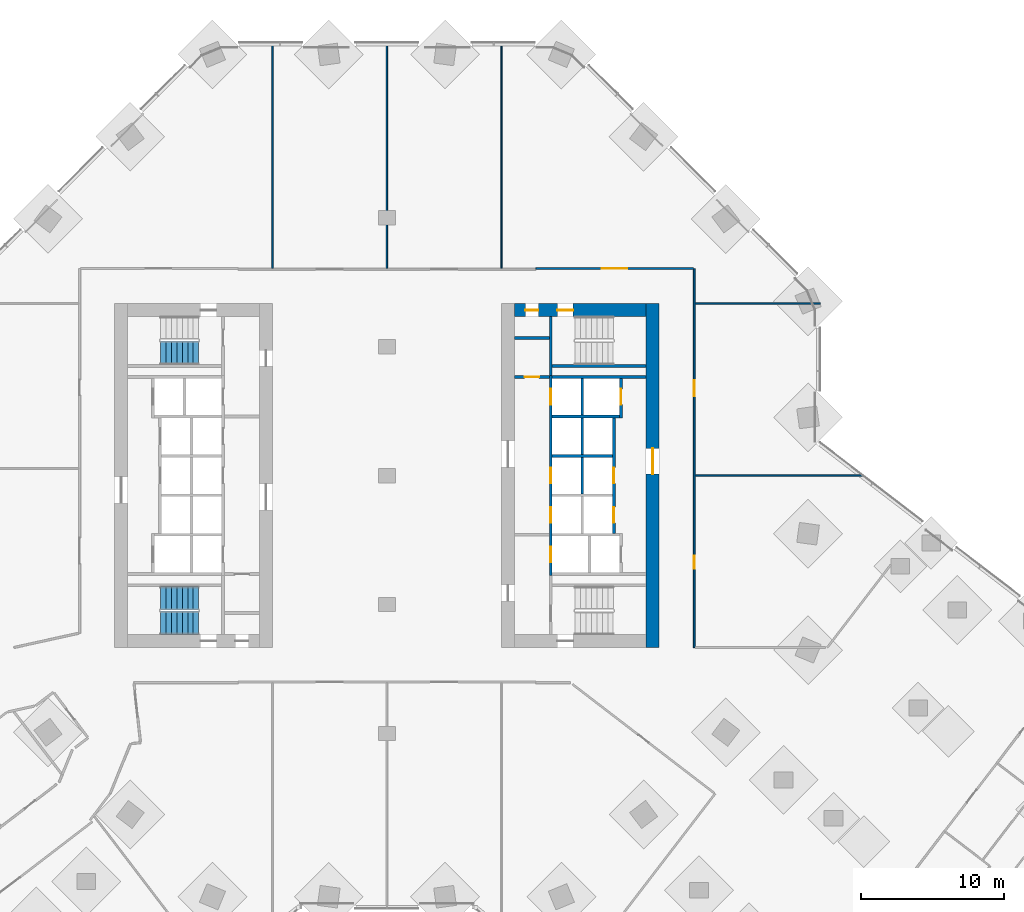
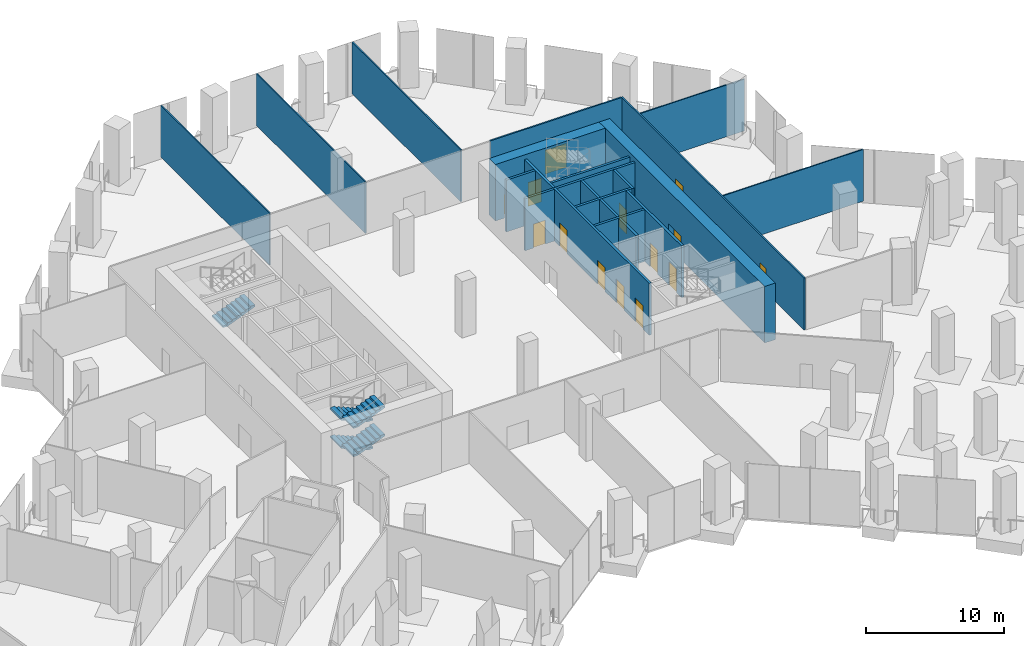
# One storey, part 22 of 27: 22 walls, 14 doors, 5 stair flights, 14 openings, 2 elements without a shape of their own.
"""IFC4 building model written with IfcOpenShell, lengths in metres."""

from ifc_helpers import new_model, si_unit, direction, frame, frame_2d, origin, place, context, subcontext, project, spatial, polyline, rectangle, outline, extrude, material, layer, layer_set, type_object, element, fill, aggregate, save


model = new_model("IFC4")

# Units and contexts
model_context = context("Model", 3, precision=1e-05, world=origin(), true_north=direction((0.0, 1.0)))
body_context = subcontext(model_context, "Body", "Model", "MODEL_VIEW")
ifc_project = project(units=[si_unit("LENGTHUNIT", "METRE"), si_unit("AREAUNIT", "SQUARE_METRE"), si_unit("VOLUMEUNIT", "CUBIC_METRE"), si_unit("PLANEANGLEUNIT", "RADIAN"), si_unit("MASSUNIT", "GRAM", prefix="KILO")], contexts=[model_context])

# Site, building, storey
site_placement = place(None, origin())
site = spatial("IfcSite", under=ifc_project, at=site_placement, CompositionType="ELEMENT")
building_placement = place(site_placement, origin())
building = spatial("IfcBuilding", under=site, at=building_placement, Name="Orlundy Tower", CompositionType="ELEMENT")
storey_placement = place(building_placement, frame((0.0, 0.0, 10.5)))
storey = spatial("IfcBuildingStorey", under=building, at=storey_placement, Name="L01", CompositionType="ELEMENT", Elevation=10.5)

# Wall, openings, doors
ifc_material_1 = material(Name="Concrete C80/95", Category="concrete")
ifc_layer_1 = layer(ifc_material_1, 0.89990234375)
ifc_layer_set_1 = layer_set([ifc_layer_1], Name="CORE WALL 900 C80/95")
wall_type_1 = type_object("IfcWallType", Name="CORE WALL 900 C80/95", PredefinedType="SHEAR", material=ifc_layer_set_1)
wall_1_placement = place(storey_placement, frame((8.89990234375, 11.550048828125, 0.0), z_axis=(0.0, 0.0, 1.0), x_axis=(1.0, 0.0, 0.0)))
wall_1 = element("IfcWall", 1, at=wall_1_placement, inside=storey, type_object=wall_type_1, Name="Core wall E-N L01", PredefinedType="SHEAR", context=body_context, shape_type="SweptSolid", body=[
    extrude(rectangle(XDim=9.2001953125, YDim=0.89990234375, at=frame_2d((4.60009765625, 0.0))), origin(), (0.0, 0.0, 1.0), 5.0),
])
opening_1_placement = place(wall_1_placement, frame((3.0, 0.0, 0.0)))
opening_1 = element("IfcOpeningElement", 2, at=opening_1_placement, cuts=wall_1, Name="Opening 02062", PredefinedType="OPENING", context=body_context, shape_type="SweptSolid", body=[
    extrude(rectangle(XDim=1.10009765625, YDim=2.10009765625, at=frame_2d((0.550048828125, 1.050048828125))), frame((0.0, 0.4599609375, 0.0), z_axis=(0.0, -1.0, 0.0), x_axis=(1.0, 0.0, 0.0)), (0.0, 0.0, 1.0), 0.919921875),
])
opening_2_placement = place(wall_1_placement, frame((0.77001953125, 0.0, 0.0)))
opening_2 = element("IfcOpeningElement", 3, at=opening_2_placement, cuts=wall_1, Name="Opening 02064", PredefinedType="OPENING", context=body_context, shape_type="SweptSolid", body=[
    extrude(rectangle(XDim=0.89990234375, YDim=2.10009765625, at=frame_2d((0.449951171875, 1.050048828125))), frame((0.0, 0.4599609375, 0.0), z_axis=(0.0, -1.0, 0.0), x_axis=(1.0, 0.0, 0.0)), (0.0, 0.0, 1.0), 0.919921875),
])
ifc_material_2 = material(Name="Timber door set", Category="wood")
door_type_1 = type_object("IfcDoorType", Name="Room Door 900x2100", OperationType="SINGLE_SWING_LEFT", PredefinedType="DOOR", material=ifc_material_2)
door_1_placement = place(opening_2_placement, origin())
door_1 = element("IfcDoor", 4, at=door_1_placement, inside=storey, type_object=door_type_1, Name="Store door 02064", OperationType="SINGLE_SWING_LEFT", OverallHeight=2.10009765625, OverallWidth=0.89990234375, PredefinedType="DOOR", context=body_context, shape_type="SweptSolid", body=[
    extrude(rectangle(XDim=0.89990234375, YDim=2.10009765625, at=frame_2d((0.449951171875, 1.050048828125))), frame((0.0, 0.02490234375, 0.0), z_axis=(0.0, -1.0, 0.0), x_axis=(1.0, 0.0, 0.0)), (0.0, 0.0, 1.0), 0.050048828125),
])
fill(opening_2, door_1)
ifc_material_3 = material(Name="Steel door set", Category="steel")
door_type_2 = type_object("IfcDoorType", Name="Stair Door 1100x2100", OperationType="SINGLE_SWING_LEFT", PredefinedType="DOOR", material=ifc_material_3)
door_2_placement = place(opening_1_placement, origin())
door_2 = element("IfcDoor", 5, at=door_2_placement, inside=storey, type_object=door_type_2, Name="Stair door 02062", OperationType="SINGLE_SWING_LEFT", OverallHeight=2.10009765625, OverallWidth=1.10009765625, PredefinedType="DOOR", context=body_context, shape_type="SweptSolid", body=[
    extrude(rectangle(XDim=1.10009765625, YDim=2.10009765625, at=frame_2d((0.550048828125, 1.050048828125))), frame((0.0, 0.02490234375, 0.0), z_axis=(0.0, -1.0, 0.0), x_axis=(1.0, 0.0, 0.0)), (0.0, 0.0, 1.0), 0.050048828125),
])
fill(opening_1, door_2)

# Wall, opening, door
wall_2_placement = place(storey_placement, frame((18.550048828125, -12.0, 0.0), z_axis=(0.0, 0.0, 1.0), x_axis=(0.0, 1.0, 0.0)))
wall_2 = element("IfcWall", 6, at=wall_2_placement, inside=storey, type_object=wall_type_1, Name="Core wall E-E L01", PredefinedType="SHEAR", context=body_context, shape_type="SweptSolid", body=[
    extrude(rectangle(XDim=24.0, YDim=0.89990234375, at=frame_2d((12.0, 0.0))), origin(), (0.0, 0.0, 1.0), 5.0),
])
opening_3_placement = place(wall_2_placement, frame((12.10009765625, 0.0, 0.0)))
opening_3 = element("IfcOpeningElement", 7, at=opening_3_placement, cuts=wall_2, Name="Opening 02059", PredefinedType="OPENING", context=body_context, shape_type="SweptSolid", body=[
    extrude(rectangle(XDim=1.800048828125, YDim=2.10009765625, at=frame_2d((0.89990234375, 1.050048828125))), frame((0.0, 0.4599609375, 0.0), z_axis=(0.0, -1.0, 0.0), x_axis=(1.0, 0.0, 0.0)), (0.0, 0.0, 1.0), 0.919921875),
])
ifc_material_4 = material(Name="Timber door set", Category="wood")
door_type_3 = type_object("IfcDoorType", Name="Lobby Door 1800x2100", OperationType="DOUBLE_DOOR_DOUBLE_SWING", PredefinedType="DOOR", material=ifc_material_4)
door_3_placement = place(opening_3_placement, origin())
door_3 = element("IfcDoor", 8, at=door_3_placement, inside=storey, type_object=door_type_3, Name="Lift lobby door 02059", OperationType="SINGLE_SWING_RIGHT", OverallHeight=2.10009765625, OverallWidth=1.800048828125, PredefinedType="DOOR", context=body_context, shape_type="SweptSolid", body=[
    extrude(rectangle(XDim=1.800048828125, YDim=2.10009765625, at=frame_2d((0.89990234375, 1.050048828125))), frame((0.0, 0.02490234375, 0.0), z_axis=(0.0, -1.0, 0.0), x_axis=(1.0, 0.0, 0.0)), (0.0, 0.0, 1.0), 0.050048828125),
])
fill(opening_3, door_3)

# Walls
ifc_material_5 = material(Name="Gypsum board partition")
ifc_layer_2 = layer(ifc_material_5, 0.10009765625)
ifc_layer_set_2 = layer_set([ifc_layer_2], Name="Floor partition 100")
wall_type_2 = type_object("IfcWallType", Name="Floor partition 100", PredefinedType="PARTITIONING", material=ifc_layer_set_2)
wall_3_placement = place(storey_placement, frame((21.511962890625, 0.0, 0.0), z_axis=(0.0, 0.0, 1.0), x_axis=(1.0, 0.0, 0.0)))
element("IfcWall", 9, at=wall_3_placement, inside=storey, type_object=wall_type_2, Name="wall-int-L01-028", PredefinedType="PARTITIONING", context=body_context, shape_type="SweptSolid", body=[
    extrude(rectangle(XDim=11.751953125, YDim=0.10009765625, at=frame_2d((5.8759765625, 0.0))), origin(), (0.0, 0.0, 1.0), 4.580078125),
])
wall_4_placement = place(storey_placement, frame((21.511962890625, 12.0, 0.0), z_axis=(0.0, 0.0, 1.0), x_axis=(1.0, 0.0, 0.0)))
element("IfcWall", 10, at=wall_4_placement, inside=storey, type_object=wall_type_2, Name="wall-int-L01-031", PredefinedType="PARTITIONING", context=body_context, shape_type="SweptSolid", body=[
    extrude(rectangle(XDim=8.738037109375, YDim=0.10009765625, at=frame_2d((4.369140625, 0.0))), origin(), (0.0, 0.0, 1.0), 4.580078125),
])
for number, where, z_axis, x_axis, name in (
    (11, (8.0, 14.462890625, 0.0), (0.0, 0.0, 1.0), (0.0, 1.0, 0.0), "wall-int-L01-068"),
    (12, (0.0, 14.462890625, 0.0), (0.0, 0.0, 1.0), (0.0, 1.0, 0.0), "wall-int-L01-070"),
    (13, (-8.0, 14.462890625, 0.0), (0.0, 0.0, 1.0), (0.0, 1.0, 0.0), "wall-int-L01-072"),
):
    element("IfcWall", number, at=place(storey_placement, frame(where, z_axis=z_axis, x_axis=x_axis)), inside=storey, type_object=wall_type_2, Name=name, PredefinedType="PARTITIONING", context=body_context, shape_type="SweptSolid", body=[
        extrude(rectangle(XDim=15.787109375, YDim=0.10009765625, at=frame_2d((7.8935546875, 0.0))), origin(), (0.0, 0.0, 1.0), 4.580078125),
    ])

# Wall, opening, door
ifc_material_6 = material(Name="Gypsum board partition, double layer")
ifc_layer_3 = layer(ifc_material_6, 0.125)
ifc_layer_set_3 = layer_set([ifc_layer_3], Name="Floor partition 125")
wall_type_3 = type_object("IfcWallType", Name="Floor partition 125", PredefinedType="PARTITIONING", material=ifc_layer_set_3)
wall_5_placement = place(storey_placement, frame((10.39111328125, 14.450927734375, 0.0), z_axis=(0.0, 0.0, 1.0), x_axis=(1.0, 0.0, 0.0)))
wall_5 = element("IfcWall", 14, at=wall_5_placement, inside=storey, type_object=wall_type_3, Name="wall-int-L01-034", PredefinedType="PARTITIONING", context=body_context, shape_type="SweptSolid", body=[
    extrude(rectangle(XDim=10.995849609375, YDim=0.125, at=frame_2d((5.498046875, 0.0))), origin(), (0.0, 0.0, 1.0), 4.580078125),
])
opening_4_placement = place(wall_5_placement, frame((4.60009765625, 0.0, 0.0)))
opening_4 = element("IfcOpeningElement", 15, at=opening_4_placement, cuts=wall_5, Name="Opening 02127", PredefinedType="OPENING", context=body_context, shape_type="SweptSolid", body=[
    extrude(rectangle(XDim=1.800048828125, YDim=2.10009765625, at=frame_2d((0.89990234375, 1.050048828125))), frame((0.0, 0.072509765625, 0.0), z_axis=(0.0, -1.0, 0.0), x_axis=(1.0, 0.0, 0.0)), (0.0, 0.0, 1.0), 0.14501953125),
])
ifc_material_7 = material(Name="Timber door leaf", Category="wood")
door_type_4 = type_object("IfcDoorType", Name="Floor door double 1800 FD30S", OperationType="NOTDEFINED", PredefinedType="DOOR", material=ifc_material_7)
door_4_placement = place(opening_4_placement, origin())
door_4 = element("IfcDoor", 16, at=door_4_placement, inside=storey, type_object=door_type_4, Name="Door 02127", OperationType="DOUBLE_DOOR_SINGLE_SWING", OverallHeight=2.10009765625, OverallWidth=1.800048828125, PredefinedType="DOOR", context=body_context, shape_type="SweptSolid", body=[
    extrude(rectangle(XDim=1.800048828125, YDim=2.10009765625, at=frame_2d((0.89990234375, 1.050048828125))), frame((0.0, 0.02490234375, 0.0), z_axis=(0.0, -1.0, 0.0), x_axis=(1.0, 0.0, 0.0)), (0.0, 0.0, 1.0), 0.050048828125),
])
fill(opening_4, door_4)

# Wall, openings, doors
wall_6_placement = place(storey_placement, frame((21.449951171875, 14.450927734375, 0.0), z_axis=(0.0, 0.0, 1.0), x_axis=(0.0, -1.0, 0.0)))
wall_6 = element("IfcWall", 17, at=wall_6_placement, inside=storey, type_object=wall_type_3, Name="wall-int-L01-066", PredefinedType="PARTITIONING", context=body_context, shape_type="SweptSolid", body=[
    extrude(rectangle(XDim=26.450927734375, YDim=0.125, at=frame_2d((13.2255859375, 0.0))), origin(), (0.0, 0.0, 1.0), 4.580078125),
])
opening_5_placement = place(wall_6_placement, frame((20.051025390625, 0.0, 0.0)))
opening_5 = element("IfcOpeningElement", 18, at=opening_5_placement, cuts=wall_6, Name="Opening 02125", PredefinedType="OPENING", context=body_context, shape_type="SweptSolid", body=[
    extrude(rectangle(XDim=0.89990234375, YDim=2.10009765625, at=frame_2d((0.449951171875, 1.050048828125))), frame((0.0, 0.072509765625, 0.0), z_axis=(0.0, -1.0, 0.0), x_axis=(1.0, 0.0, 0.0)), (0.0, 0.0, 1.0), 0.14501953125),
])
opening_6_placement = place(wall_6_placement, frame((7.801025390625, 0.0, 0.0)))
opening_6 = element("IfcOpeningElement", 19, at=opening_6_placement, cuts=wall_6, Name="Opening 02126", PredefinedType="OPENING", context=body_context, shape_type="SweptSolid", body=[
    extrude(rectangle(XDim=1.10009765625, YDim=2.10009765625, at=frame_2d((0.550048828125, 1.050048828125))), frame((0.0, 0.072509765625, 0.0), z_axis=(0.0, -1.0, 0.0), x_axis=(1.0, 0.0, 0.0)), (0.0, 0.0, 1.0), 0.14501953125),
])
ifc_material_8 = material(Name="Timber door leaf", Category="wood")
door_type_5 = type_object("IfcDoorType", Name="Floor door single 900 FD30S", OperationType="NOTDEFINED", PredefinedType="DOOR", material=ifc_material_8)
door_5_placement = place(opening_5_placement, origin())
door_5 = element("IfcDoor", 20, at=door_5_placement, inside=storey, type_object=door_type_5, Name="Door 02125", OperationType="SINGLE_SWING_RIGHT", OverallHeight=2.10009765625, OverallWidth=0.89990234375, PredefinedType="DOOR", context=body_context, shape_type="SweptSolid", body=[
    extrude(rectangle(XDim=0.89990234375, YDim=2.10009765625, at=frame_2d((0.449951171875, 1.050048828125))), frame((0.0, 0.02490234375, 0.0), z_axis=(0.0, -1.0, 0.0), x_axis=(1.0, 0.0, 0.0)), (0.0, 0.0, 1.0), 0.050048828125),
])
fill(opening_5, door_5)
ifc_material_9 = material(Name="Timber door leaf", Category="wood")
door_type_6 = type_object("IfcDoorType", Name="Floor door xwide 1100 FD30S", OperationType="NOTDEFINED", PredefinedType="DOOR", material=ifc_material_9)
door_6_placement = place(opening_6_placement, origin())
door_6 = element("IfcDoor", 21, at=door_6_placement, inside=storey, type_object=door_type_6, Name="Door 02126", OperationType="SINGLE_SWING_LEFT", OverallHeight=2.10009765625, OverallWidth=1.10009765625, PredefinedType="DOOR", context=body_context, shape_type="SweptSolid", body=[
    extrude(rectangle(XDim=1.10009765625, YDim=2.10009765625, at=frame_2d((0.550048828125, 1.050048828125))), frame((0.0, 0.02490234375, 0.0), z_axis=(0.0, -1.0, 0.0), x_axis=(1.0, 0.0, 0.0)), (0.0, 0.0, 1.0), 0.050048828125),
])
fill(opening_6, door_6)

# Walls
ifc_material_10 = material(Name="Concrete C40/50", Category="concrete")
ifc_layer_4 = layer(ifc_material_10, 0.199951171875)
ifc_layer_set_4 = layer_set([ifc_layer_4], Name="Load-bearing Shaft Wall 200")
wall_type_4 = type_object("IfcWallType", Name="Load-bearing Shaft Wall 200", PredefinedType="SOLIDWALL", material=ifc_layer_set_4)
wall_7_placement = place(storey_placement, frame((11.43994140625, 11.10009765625, 0.0), z_axis=(0.0, 0.0, 1.0), x_axis=(0.0, -1.0, 0.0)))
element("IfcWall", 22, at=wall_7_placement, inside=storey, type_object=wall_type_4, Name="Shaft wall E02-stair-end-s", PredefinedType="SOLIDWALL", context=body_context, shape_type="SweptSolid", body=[
    extrude(rectangle(XDim=4.125, YDim=0.199951171875, at=frame_2d((2.0625, 0.0))), origin(), (0.0, 0.0, 1.0), 4.590087890625),
])
wall_8_placement = place(storey_placement, frame((11.5400390625, 7.64990234375, 0.0), z_axis=(0.0, 0.0, 1.0), x_axis=(1.0, 0.0, 0.0)))
element("IfcWall", 23, at=wall_8_placement, inside=storey, type_object=wall_type_4, Name="Shaft wall E02-stair-side-s", PredefinedType="SOLIDWALL", context=body_context, shape_type="SweptSolid", body=[
    extrude(rectangle(XDim=6.56005859375, YDim=0.199951171875, at=frame_2d((3.280029296875, 0.0))), origin(), (0.0, 0.0, 1.0), 4.590087890625),
])

# Wall, opening, door
ifc_material_11 = material(Name="Gypsum board partition on steel studs", Category="steel")
ifc_layer_5 = layer(ifc_material_11, 0.199951171875)
ifc_layer_set_5 = layer_set([ifc_layer_5], Name="Partition 200")
wall_type_5 = type_object("IfcWallType", Name="Partition 200", PredefinedType="PARTITIONING", material=ifc_layer_set_5)
wall_9_placement = place(storey_placement, frame((8.89990234375, 6.875, 0.0), z_axis=(0.0, 0.0, 1.0), x_axis=(1.0, 0.0, 0.0)))
wall_9 = element("IfcWall", 24, at=wall_9_placement, inside=storey, type_object=wall_type_5, Name="Partition wall E02-end-s", PredefinedType="PARTITIONING", context=body_context, shape_type="SweptSolid", body=[
    extrude(rectangle(XDim=2.440185546875, YDim=0.199951171875, at=frame_2d((1.22021484375, 0.0))), origin(), (0.0, 0.0, 1.0), 4.590087890625),
])
opening_7_placement = place(wall_9_placement, frame((0.719970703125, 0.0, 0.0)))
opening_7 = element("IfcOpeningElement", 25, at=opening_7_placement, cuts=wall_9, Name="Opening 02065", PredefinedType="OPENING", context=body_context, shape_type="SweptSolid", body=[
    extrude(rectangle(XDim=1.0, YDim=2.10009765625, at=frame_2d((0.5, 1.050048828125))), frame((0.0, 0.110107421875, 0.0), z_axis=(0.0, -1.0, 0.0), x_axis=(1.0, 0.0, 0.0)), (0.0, 0.0, 1.0), 0.22021484375),
])
ifc_material_12 = material(Name="Timber door set", Category="wood")
door_type_7 = type_object("IfcDoorType", Name="Accessible Door 1000x2100", OperationType="SINGLE_SWING_LEFT", PredefinedType="DOOR", material=ifc_material_12)
door_7_placement = place(opening_7_placement, origin())
door_7 = element("IfcDoor", 26, at=door_7_placement, inside=storey, type_object=door_type_7, Name="Accessible WC door 02065", OperationType="SINGLE_SWING_RIGHT", OverallHeight=2.10009765625, OverallWidth=1.0, PredefinedType="DOOR", context=body_context, shape_type="SweptSolid", body=[
    extrude(rectangle(XDim=1.0, YDim=2.10009765625, at=frame_2d((0.5, 1.050048828125))), frame((0.0, 0.02490234375, 0.0), z_axis=(0.0, -1.0, 0.0), x_axis=(1.0, 0.0, 0.0)), (0.0, 0.0, 1.0), 0.050048828125),
])
fill(opening_7, door_7)

# Walls
wall_10_placement = place(storey_placement, frame((8.89990234375, 9.60009765625, 0.0), z_axis=(0.0, 0.0, 1.0), x_axis=(1.0, 0.0, 0.0)))
element("IfcWall", 27, at=wall_10_placement, inside=storey, type_object=wall_type_5, Name="Partition wall E02-room-s0", PredefinedType="PARTITIONING", context=body_context, shape_type="SweptSolid", body=[
    extrude(rectangle(XDim=2.440185546875, YDim=0.199951171875, at=frame_2d((1.22021484375, 0.0))), origin(), (0.0, 0.0, 1.0), 4.590087890625),
])
ifc_material_13 = material(Name="Fire-rated blockwork shaft wall", Category="masonry")
ifc_layer_6 = layer(ifc_material_13, 0.199951171875)
ifc_layer_set_6 = layer_set([ifc_layer_6], Name="Shaft Wall 200")
wall_type_6 = type_object("IfcWallType", Name="Shaft Wall 200", PredefinedType="SOLIDWALL", material=ifc_layer_set_6)
wall_11_placement = place(storey_placement, frame((11.5400390625, 6.875, 0.0), z_axis=(0.0, 0.0, 1.0), x_axis=(1.0, 0.0, 0.0)))
element("IfcWall", 28, at=wall_11_placement, inside=storey, type_object=wall_type_6, Name="Shaft wall E02-zone-s", PredefinedType="SOLIDWALL", context=body_context, shape_type="SweptSolid", body=[
    extrude(rectangle(XDim=6.56005859375, YDim=0.199951171875, at=frame_2d((3.280029296875, 0.0))), origin(), (0.0, 0.0, 1.0), 4.590087890625),
])
wall_12_placement = place(storey_placement, frame((11.5400390625, 4.125, 0.0), z_axis=(0.0, 0.0, 1.0), x_axis=(1.0, 0.0, 0.0)))
element("IfcWall", 29, at=wall_12_placement, inside=storey, type_object=wall_type_6, Name="Shaft wall E02-cross-4.125", PredefinedType="SOLIDWALL", context=body_context, shape_type="SweptSolid", body=[
    extrude(rectangle(XDim=4.699951171875, YDim=0.199951171875, at=frame_2d((2.35009765625, 0.0))), origin(), (0.0, 0.0, 1.0), 4.590087890625),
])
wall_13_placement = place(storey_placement, frame((11.5400390625, 1.375, 0.0), z_axis=(0.0, 0.0, 1.0), x_axis=(1.0, 0.0, 0.0)))
element("IfcWall", 30, at=wall_13_placement, inside=storey, type_object=wall_type_6, Name="Shaft wall E02-cross-1.375", PredefinedType="SOLIDWALL", context=body_context, shape_type="SweptSolid", body=[
    extrude(rectangle(XDim=4.199951171875, YDim=0.199951171875, at=frame_2d((2.10009765625, 0.0))), origin(), (0.0, 0.0, 1.0), 4.590087890625),
])

# Wall, openings, doors
wall_14_placement = place(storey_placement, frame((11.43994140625, 6.97509765625, 0.0), z_axis=(0.0, 0.0, 1.0), x_axis=(0.0, -1.0, 0.0)))
wall_14 = element("IfcWall", 31, at=wall_14_placement, inside=storey, type_object=wall_type_6, Name="Shaft wall E02-front-h", PredefinedType="SOLIDWALL", context=body_context, shape_type="SweptSolid", body=[
    extrude(rectangle(XDim=13.9501953125, YDim=0.199951171875, at=frame_2d((6.97509765625, 0.0))), origin(), (0.0, 0.0, 1.0), 4.590087890625),
])
opening_8_placement = place(wall_14_placement, frame((0.925048828125, 0.0, 0.0)))
opening_8 = element("IfcOpeningElement", 32, at=opening_8_placement, cuts=wall_14, Name="Opening 02050", PredefinedType="OPENING", context=body_context, shape_type="SweptSolid", body=[
    extrude(rectangle(XDim=1.10009765625, YDim=2.10009765625, at=frame_2d((0.550048828125, 1.050048828125))), frame((0.0, 0.110107421875, 0.0), z_axis=(0.0, -1.0, 0.0), x_axis=(1.0, 0.0, 0.0)), (0.0, 0.0, 1.0), 0.22021484375),
])
opening_9_placement = place(wall_14_placement, frame((6.425048828125, 0.0, 0.0)))
opening_9 = element("IfcOpeningElement", 33, at=opening_9_placement, cuts=wall_14, Name="Opening 02052", PredefinedType="OPENING", context=body_context, shape_type="SweptSolid", body=[
    extrude(rectangle(XDim=1.10009765625, YDim=2.10009765625, at=frame_2d((0.550048828125, 1.050048828125))), frame((0.0, 0.110107421875, 0.0), z_axis=(0.0, -1.0, 0.0), x_axis=(1.0, 0.0, 0.0)), (0.0, 0.0, 1.0), 0.22021484375),
])
opening_10_placement = place(wall_14_placement, frame((9.175048828125, 0.0, 0.0)))
opening_10 = element("IfcOpeningElement", 34, at=opening_10_placement, cuts=wall_14, Name="Opening 02054", PredefinedType="OPENING", context=body_context, shape_type="SweptSolid", body=[
    extrude(rectangle(XDim=1.10009765625, YDim=2.10009765625, at=frame_2d((0.550048828125, 1.050048828125))), frame((0.0, 0.110107421875, 0.0), z_axis=(0.0, -1.0, 0.0), x_axis=(1.0, 0.0, 0.0)), (0.0, 0.0, 1.0), 0.22021484375),
])
opening_11_placement = place(wall_14_placement, frame((11.925048828125, 0.0, 0.0)))
opening_11 = element("IfcOpeningElement", 35, at=opening_11_placement, cuts=wall_14, Name="Opening 02056", PredefinedType="OPENING", context=body_context, shape_type="SweptSolid", body=[
    extrude(rectangle(XDim=1.10009765625, YDim=2.10009765625, at=frame_2d((0.550048828125, 1.050048828125))), frame((0.0, 0.110107421875, 0.0), z_axis=(0.0, -1.0, 0.0), x_axis=(1.0, 0.0, 0.0)), (0.0, 0.0, 1.0), 0.22021484375),
])
ifc_material_14 = material(Name="Steel door set", Category="steel")
door_type_8 = type_object("IfcDoorType", Name="Landing Door 1100x2100", OperationType="DOUBLE_DOOR_SLIDING", PredefinedType="DOOR", material=ifc_material_14)
door_8_placement = place(opening_8_placement, origin())
door_8 = element("IfcDoor", 36, at=door_8_placement, inside=storey, type_object=door_type_8, Name="Lift landing door LPD-02 02050", OperationType="DOUBLE_DOOR_SLIDING", OverallHeight=2.10009765625, OverallWidth=1.10009765625, PredefinedType="DOOR", context=body_context, shape_type="SweptSolid", body=[
    extrude(rectangle(XDim=1.10009765625, YDim=2.10009765625, at=frame_2d((0.550048828125, 1.050048828125))), frame((0.0, 0.02490234375, 0.0), z_axis=(0.0, -1.0, 0.0), x_axis=(1.0, 0.0, 0.0)), (0.0, 0.0, 1.0), 0.050048828125),
])
fill(opening_8, door_8)
door_9_placement = place(opening_9_placement, origin())
door_9 = element("IfcDoor", 37, at=door_9_placement, inside=storey, type_object=door_type_8, Name="Lift landing door LP-10 02052", OperationType="DOUBLE_DOOR_SLIDING", OverallHeight=2.10009765625, OverallWidth=1.10009765625, PredefinedType="DOOR", context=body_context, shape_type="SweptSolid", body=[
    extrude(rectangle(XDim=1.10009765625, YDim=2.10009765625, at=frame_2d((0.550048828125, 1.050048828125))), frame((0.0, 0.02490234375, 0.0), z_axis=(0.0, -1.0, 0.0), x_axis=(1.0, 0.0, 0.0)), (0.0, 0.0, 1.0), 0.050048828125),
])
fill(opening_9, door_9)
door_10_placement = place(opening_10_placement, origin())
door_10 = element("IfcDoor", 38, at=door_10_placement, inside=storey, type_object=door_type_8, Name="Lift landing door LP-07 02054", OperationType="DOUBLE_DOOR_SLIDING", OverallHeight=2.10009765625, OverallWidth=1.10009765625, PredefinedType="DOOR", context=body_context, shape_type="SweptSolid", body=[
    extrude(rectangle(XDim=1.10009765625, YDim=2.10009765625, at=frame_2d((0.550048828125, 1.050048828125))), frame((0.0, 0.02490234375, 0.0), z_axis=(0.0, -1.0, 0.0), x_axis=(1.0, 0.0, 0.0)), (0.0, 0.0, 1.0), 0.050048828125),
])
fill(opening_10, door_10)
door_11_placement = place(opening_11_placement, origin())
door_11 = element("IfcDoor", 39, at=door_11_placement, inside=storey, type_object=door_type_8, Name="Lift landing door FL2 02056", OperationType="DOUBLE_DOOR_SLIDING", OverallHeight=2.10009765625, OverallWidth=1.10009765625, PredefinedType="DOOR", context=body_context, shape_type="SweptSolid", body=[
    extrude(rectangle(XDim=1.10009765625, YDim=2.10009765625, at=frame_2d((0.550048828125, 1.050048828125))), frame((0.0, 0.02490234375, 0.0), z_axis=(0.0, -1.0, 0.0), x_axis=(1.0, 0.0, 0.0)), (0.0, 0.0, 1.0), 0.050048828125),
])
fill(opening_11, door_11)

# Walls
for number, where, z_axis, x_axis, name in (
    (40, (13.639892578125, 6.77490234375, 0.0), (0.0, 0.0, 1.0), (0.0, -1.0, 0.0), "Shaft wall E02-mid-a"),
    (41, (13.639892578125, 4.02490234375, 0.0), (0.0, 0.0, 1.0), (0.0, -1.0, 0.0), "Shaft wall E02-mid-a.1"),
    (42, (13.639892578125, 1.27490234375, 0.0), (0.0, 0.0, 1.0), (0.0, -1.0, 0.0), "Shaft wall E02-mid-a.2"),
):
    element("IfcWall", number, at=place(storey_placement, frame(where, z_axis=z_axis, x_axis=x_axis)), inside=storey, type_object=wall_type_6, Name=name, PredefinedType="SOLIDWALL", context=body_context, shape_type="SweptSolid", body=[
        extrude(rectangle(XDim=2.5498046875, YDim=0.199951171875, at=frame_2d((1.27490234375, 0.0))), origin(), (0.0, 0.0, 1.0), 4.590087890625),
    ])

# Wall, opening, door
wall_15_placement = place(storey_placement, frame((16.340087890625, 6.77490234375, 0.0), z_axis=(0.0, 0.0, 1.0), x_axis=(0.0, -1.0, 0.0)))
wall_15 = element("IfcWall", 43, at=wall_15_placement, inside=storey, type_object=wall_type_6, Name="Shaft wall E02-front-o-a", PredefinedType="SOLIDWALL", context=body_context, shape_type="SweptSolid", body=[
    extrude(rectangle(XDim=2.75, YDim=0.199951171875, at=frame_2d((1.375, 0.0))), origin(), (0.0, 0.0, 1.0), 4.590087890625),
])
opening_12_placement = place(wall_15_placement, frame((0.72509765625, 0.0, 0.0)))
opening_12 = element("IfcOpeningElement", 44, at=opening_12_placement, cuts=wall_15, Name="Opening 02051", PredefinedType="OPENING", context=body_context, shape_type="SweptSolid", body=[
    extrude(rectangle(XDim=1.10009765625, YDim=2.10009765625, at=frame_2d((0.550048828125, 1.050048828125))), frame((0.0, 0.110107421875, 0.0), z_axis=(0.0, -1.0, 0.0), x_axis=(1.0, 0.0, 0.0)), (0.0, 0.0, 1.0), 0.22021484375),
])
door_12_placement = place(opening_12_placement, origin())
door_12 = element("IfcDoor", 45, at=door_12_placement, inside=storey, type_object=door_type_8, Name="Lift landing door LV-02 02051", OperationType="DOUBLE_DOOR_SLIDING", OverallHeight=2.10009765625, OverallWidth=1.10009765625, PredefinedType="DOOR", context=body_context, shape_type="SweptSolid", body=[
    extrude(rectangle(XDim=1.10009765625, YDim=2.10009765625, at=frame_2d((0.550048828125, 1.050048828125))), frame((0.0, 0.02490234375, 0.0), z_axis=(0.0, -1.0, 0.0), x_axis=(1.0, 0.0, 0.0)), (0.0, 0.0, 1.0), 0.050048828125),
])
fill(opening_12, door_12)

# Wall, openings, doors
wall_16_placement = place(storey_placement, frame((15.840087890625, 4.02490234375, 0.0), z_axis=(0.0, 0.0, 1.0), x_axis=(0.0, -1.0, 0.0)))
wall_16 = element("IfcWall", 46, at=wall_16_placement, inside=storey, type_object=wall_type_6, Name="Shaft wall E02-front-o-b", PredefinedType="SOLIDWALL", context=body_context, shape_type="SweptSolid", body=[
    extrude(rectangle(XDim=8.0498046875, YDim=0.199951171875, at=frame_2d((4.02490234375, 0.0))), origin(), (0.0, 0.0, 1.0), 4.590087890625),
])
opening_13_placement = place(wall_16_placement, frame((3.47509765625, 0.0, 0.0)))
opening_13 = element("IfcOpeningElement", 47, at=opening_13_placement, cuts=wall_16, Name="Opening 02053", PredefinedType="OPENING", context=body_context, shape_type="SweptSolid", body=[
    extrude(rectangle(XDim=1.10009765625, YDim=2.10009765625, at=frame_2d((0.550048828125, 1.050048828125))), frame((0.0, 0.110107421875, 0.0), z_axis=(0.0, -1.0, 0.0), x_axis=(1.0, 0.0, 0.0)), (0.0, 0.0, 1.0), 0.22021484375),
])
opening_14_placement = place(wall_16_placement, frame((6.22509765625, 0.0, 0.0)))
opening_14 = element("IfcOpeningElement", 48, at=opening_14_placement, cuts=wall_16, Name="Opening 02055", PredefinedType="OPENING", context=body_context, shape_type="SweptSolid", body=[
    extrude(rectangle(XDim=1.10009765625, YDim=2.10009765625, at=frame_2d((0.550048828125, 1.050048828125))), frame((0.0, 0.110107421875, 0.0), z_axis=(0.0, -1.0, 0.0), x_axis=(1.0, 0.0, 0.0)), (0.0, 0.0, 1.0), 0.22021484375),
])
door_13_placement = place(opening_13_placement, origin())
door_13 = element("IfcDoor", 49, at=door_13_placement, inside=storey, type_object=door_type_8, Name="Lift landing door LP-06 02053", OperationType="DOUBLE_DOOR_SLIDING", OverallHeight=2.10009765625, OverallWidth=1.10009765625, PredefinedType="DOOR", context=body_context, shape_type="SweptSolid", body=[
    extrude(rectangle(XDim=1.10009765625, YDim=2.10009765625, at=frame_2d((0.550048828125, 1.050048828125))), frame((0.0, 0.02490234375, 0.0), z_axis=(0.0, -1.0, 0.0), x_axis=(1.0, 0.0, 0.0)), (0.0, 0.0, 1.0), 0.050048828125),
])
fill(opening_13, door_13)
door_14_placement = place(opening_14_placement, origin())
door_14 = element("IfcDoor", 50, at=door_14_placement, inside=storey, type_object=door_type_8, Name="Lift landing door LP-08 02055", OperationType="DOUBLE_DOOR_SLIDING", OverallHeight=2.10009765625, OverallWidth=1.10009765625, PredefinedType="DOOR", context=body_context, shape_type="SweptSolid", body=[
    extrude(rectangle(XDim=1.10009765625, YDim=2.10009765625, at=frame_2d((0.550048828125, 1.050048828125))), frame((0.0, 0.02490234375, 0.0), z_axis=(0.0, -1.0, 0.0), x_axis=(1.0, 0.0, 0.0)), (0.0, 0.0, 1.0), 0.050048828125),
])
fill(opening_14, door_14)

# Stair, stair flight
ifc_material_15 = material(Name="Concrete C50/60", Category="concrete")
stair_type = type_object("IfcStairType", Name="Exit Stair 32 risers", PredefinedType="HALF_TURN_STAIR", material=ifc_material_15)
stair_1_placement = place(storey_placement, origin())
stair_1 = element("IfcStair", 51, at=stair_1_placement, inside=storey, type_object=stair_type, Name="L01 Exit Stair ST-W1", PredefinedType="HALF_TURN_STAIR")
ifc_material_16 = material(Name="Concrete C50/60", Category="concrete")
stair_flight_type = type_object("IfcStairFlightType", Name="Stair Flight 8 risers", PredefinedType="STRAIGHT", material=ifc_material_16)
stair_flight_1_placement = place(storey_placement, frame((-15.800048828125, 8.550048828125, 1.25), z_axis=(0.0, 0.0, 1.0), x_axis=(1.0, 0.0, 0.0)))
stair_flight_1 = element("IfcStairFlight", 52, at=stair_flight_1_placement, type_object=stair_flight_type, Name="ST-W1 flight 2", NumberOfRisers=8, NumberOfTreads=7, PredefinedType="STRAIGHT", RiserHeight=0.15625, TreadLength=0.38, context=body_context, shape_type="SweptSolid", body=[
    extrude(outline(polyline([(0.0, 0.0), (0.0, 0.15625), (0.3798828125, 0.15625), (0.3798828125, 0.3125), (0.760009765625, 0.3125), (0.760009765625, 0.46875), (1.139892578125, 0.46875), (1.139892578125, 0.625), (1.52001953125, 0.625), (1.52001953125, 0.78125), (1.89990234375, 0.78125), (1.89990234375, 0.9375), (2.280029296875, 0.9375), (2.280029296875, 1.09375), (2.659912109375, 1.09375), (2.659912109375, 1.25), (2.659912109375, 0.931640625), (0.394287109375, 0.0), (0.0, 0.0)])), frame((0.0, 0.800048828125, 0.0), z_axis=(0.0, -1.0, 0.0), x_axis=(1.0, 0.0, 0.0)), (0.0, 0.0, 1.0), 1.60009765625),
])
aggregate(stair_1, [stair_flight_1])

# Stair, stair flights
stair_2_placement = place(storey_placement, origin())
stair_2 = element("IfcStair", 53, at=stair_2_placement, inside=storey, type_object=stair_type, Name="L01 Exit Stair ST-W2", PredefinedType="HALF_TURN_STAIR")
stair_flight_2_placement = place(storey_placement, frame((-13.139892578125, -8.550048828125, 0.0), z_axis=(0.0, 0.0, 1.0), x_axis=(-1.0, 0.0, 0.0)))
stair_flight_2 = element("IfcStairFlight", 54, at=stair_flight_2_placement, type_object=stair_flight_type, Name="ST-W2 flight 1", NumberOfRisers=8, NumberOfTreads=7, PredefinedType="STRAIGHT", RiserHeight=0.15625, TreadLength=0.38, context=body_context, shape_type="SweptSolid", body=[
    extrude(outline(polyline([(0.0, 0.0), (0.0, 0.15625), (0.3798828125, 0.15625), (0.3798828125, 0.3125), (0.760009765625, 0.3125), (0.760009765625, 0.46875), (1.139892578125, 0.46875), (1.139892578125, 0.625), (1.52001953125, 0.625), (1.52001953125, 0.78125), (1.89990234375, 0.78125), (1.89990234375, 0.9375), (2.280029296875, 0.9375), (2.280029296875, 1.09375), (2.659912109375, 1.09375), (2.659912109375, 1.25), (2.659912109375, 0.931640625), (0.394287109375, 0.0), (0.0, 0.0)])), frame((0.0, 0.800048828125, 0.0), z_axis=(0.0, -1.0, 0.0), x_axis=(1.0, 0.0, 0.0)), (0.0, 0.0, 1.0), 1.60009765625),
])
stair_flight_3_placement = place(storey_placement, frame((-15.800048828125, -10.300048828125, 1.25), z_axis=(0.0, 0.0, 1.0), x_axis=(1.0, 0.0, 0.0)))
stair_flight_3 = element("IfcStairFlight", 55, at=stair_flight_3_placement, type_object=stair_flight_type, Name="ST-W2 flight 2", NumberOfRisers=8, NumberOfTreads=7, PredefinedType="STRAIGHT", RiserHeight=0.15625, TreadLength=0.38, context=body_context, shape_type="SweptSolid", body=[
    extrude(outline(polyline([(0.0, 0.0), (0.0, 0.15625), (0.3798828125, 0.15625), (0.3798828125, 0.3125), (0.760009765625, 0.3125), (0.760009765625, 0.46875), (1.139892578125, 0.46875), (1.139892578125, 0.625), (1.52001953125, 0.625), (1.52001953125, 0.78125), (1.89990234375, 0.78125), (1.89990234375, 0.9375), (2.280029296875, 0.9375), (2.280029296875, 1.09375), (2.659912109375, 1.09375), (2.659912109375, 1.25), (2.659912109375, 0.931640625), (0.394287109375, 0.0), (0.0, 0.0)])), frame((0.0, 0.800048828125, 0.0), z_axis=(0.0, -1.0, 0.0), x_axis=(1.0, 0.0, 0.0)), (0.0, 0.0, 1.0), 1.60009765625),
])
stair_flight_4_placement = place(storey_placement, frame((-13.139892578125, -8.550048828125, 2.5), z_axis=(0.0, 0.0, 1.0), x_axis=(-1.0, 0.0, 0.0)))
stair_flight_4 = element("IfcStairFlight", 56, at=stair_flight_4_placement, type_object=stair_flight_type, Name="ST-W2 flight 3", NumberOfRisers=8, NumberOfTreads=7, PredefinedType="STRAIGHT", RiserHeight=0.15625, TreadLength=0.38, context=body_context, shape_type="SweptSolid", body=[
    extrude(outline(polyline([(0.0, 0.0), (0.0, 0.15625), (0.3798828125, 0.15625), (0.3798828125, 0.3125), (0.760009765625, 0.3125), (0.760009765625, 0.46875), (1.139892578125, 0.46875), (1.139892578125, 0.625), (1.52001953125, 0.625), (1.52001953125, 0.78125), (1.89990234375, 0.78125), (1.89990234375, 0.9375), (2.280029296875, 0.9375), (2.280029296875, 1.09375), (2.659912109375, 1.09375), (2.659912109375, 1.25), (2.659912109375, 0.931640625), (0.394287109375, 0.0), (0.0, 0.0)])), frame((0.0, 0.800048828125, 0.0), z_axis=(0.0, -1.0, 0.0), x_axis=(1.0, 0.0, 0.0)), (0.0, 0.0, 1.0), 1.60009765625),
])
stair_flight_5_placement = place(storey_placement, frame((-15.800048828125, -10.300048828125, 3.75), z_axis=(0.0, 0.0, 1.0), x_axis=(1.0, 0.0, 0.0)))
stair_flight_5 = element("IfcStairFlight", 57, at=stair_flight_5_placement, type_object=stair_flight_type, Name="ST-W2 flight 4", NumberOfRisers=8, NumberOfTreads=7, PredefinedType="STRAIGHT", RiserHeight=0.15625, TreadLength=0.38, context=body_context, shape_type="SweptSolid", body=[
    extrude(outline(polyline([(0.0, 0.0), (0.0, 0.15625), (0.3798828125, 0.15625), (0.3798828125, 0.3125), (0.760009765625, 0.3125), (0.760009765625, 0.46875), (1.139892578125, 0.46875), (1.139892578125, 0.625), (1.52001953125, 0.625), (1.52001953125, 0.78125), (1.89990234375, 0.78125), (1.89990234375, 0.9375), (2.280029296875, 0.9375), (2.280029296875, 1.09375), (2.659912109375, 1.09375), (2.659912109375, 1.25), (2.659912109375, 0.931640625), (0.394287109375, 0.0), (0.0, 0.0)])), frame((0.0, 0.800048828125, 0.0), z_axis=(0.0, -1.0, 0.0), x_axis=(1.0, 0.0, 0.0)), (0.0, 0.0, 1.0), 1.60009765625),
])
aggregate(stair_2, [stair_flight_2, stair_flight_3, stair_flight_4, stair_flight_5])

save(model, "model.ifc")
